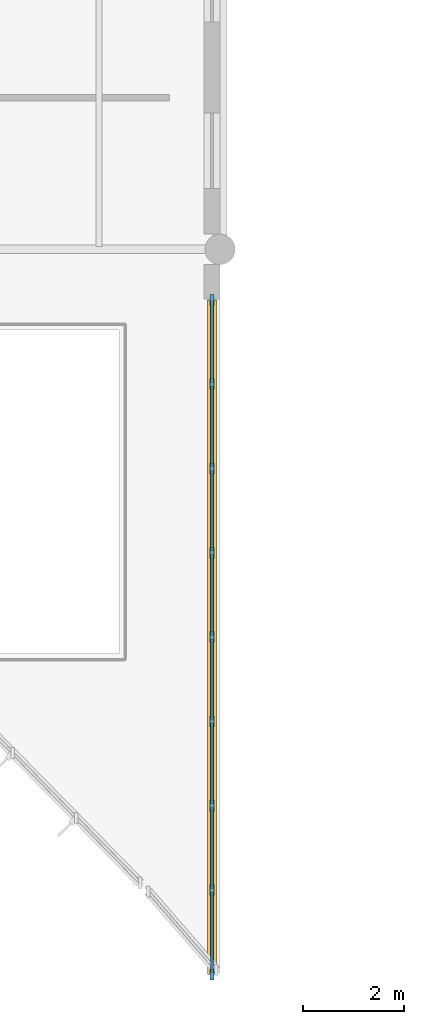
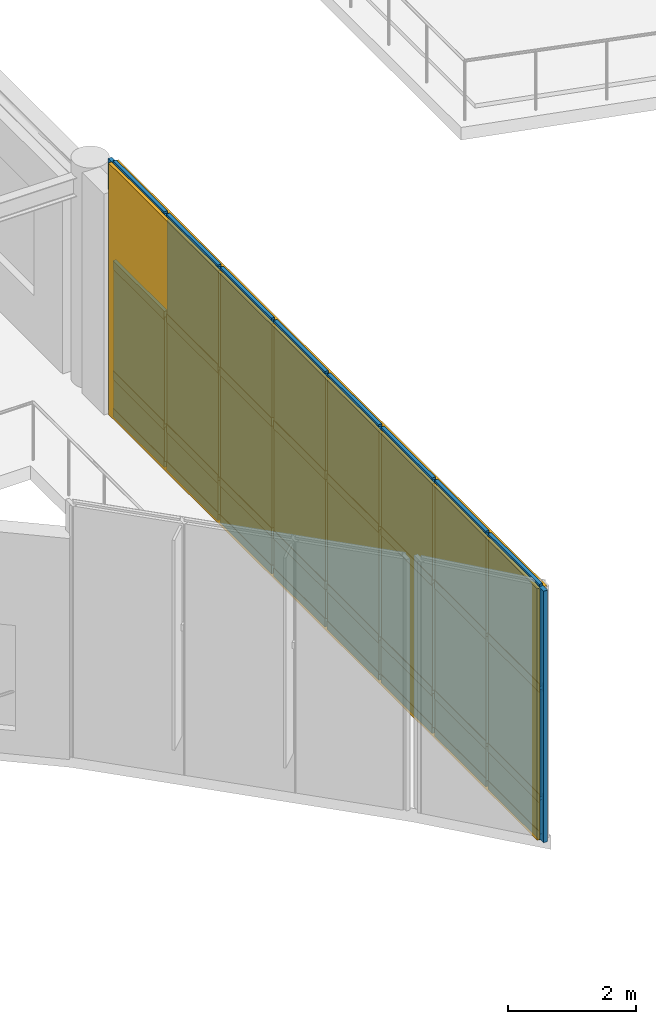
# One storey, part 77 of 104: 41 members, 23 plates, 1 curtain wall.
"""IFC4 building model written with IfcOpenShell, lengths in metres."""

from ifc_helpers import new_model, si_unit, direction, frame, frame_2d, origin, origin_2d, place, context, subcontext, project, spatial, rectangle, extrude, material, layer, layer_set, material_profile, profile_set, type_object, element, aggregate, save


model = new_model("IFC4")

# Units and contexts
model_context = context("Model", 3, precision=1e-05, world=origin(), true_north=direction((0.0, 1.0)))
body_context = subcontext(model_context, "Body", "Model", "MODEL_VIEW")
ifc_project = project(units=[si_unit("LENGTHUNIT", "METRE"), si_unit("AREAUNIT", "SQUARE_METRE"), si_unit("VOLUMEUNIT", "CUBIC_METRE"), si_unit("PLANEANGLEUNIT", "RADIAN"), si_unit("MASSUNIT", "GRAM", prefix="KILO")], contexts=[model_context])

# Member
ifc_material_1 = material(Name="Anodised Bronze Aluminium 6063-T6", Category="aluminium")
ifc_material_profile_1 = material_profile(ifc_material_1, rectangle(XDim=0.070068359375, YDim=0.219970703125, at=origin_2d()), Name="ALU MULLION 70x220")
ifc_profile_set_1 = profile_set([ifc_material_profile_1], Name="Anodised Bronze Aluminium 6063-T6")
member_type_1 = type_object("IfcMemberType", Name="Curtain-Wall Heavy Mullion 70x220", PredefinedType="MULLION", material=ifc_profile_set_1)
site_placement = place(None, origin())
building_placement = place(site_placement, origin())
storey_placement = place(building_placement, frame((0.0, 0.0, 9.0)))
member_1_placement = place(storey_placement, frame((116.840087890625, 1.449951171875, 0.0), z_axis=(0.0, 0.0, 1.0), x_axis=(1.0, 0.0, 0.0)))
member_1 = element("IfcMember", 1, at=member_1_placement, type_object=member_type_1, Name="Mullion CWM-02 CW-V5-RET-E-L02-M01", PredefinedType="MULLION", context=body_context, shape_type="SweptSolid", body=[
    extrude(rectangle(XDim=0.070068359375, YDim=0.219970703125, at=origin_2d()), origin(), (0.0, 0.0, 1.0), 4.780029296875),
])

member_2_placement = place(storey_placement, frame((116.840087890625, 3.118896484375, 0.0), z_axis=(0.0, 0.0, 1.0), x_axis=(1.0, 0.0, 0.0)))
member_2 = element("IfcMember", 2, at=member_2_placement, type_object=member_type_1, Name="Mullion CWM-02 CW-V5-RET-E-L02-M02", PredefinedType="MULLION", context=body_context, shape_type="SweptSolid", body=[
    extrude(rectangle(XDim=0.070068359375, YDim=0.219970703125, at=origin_2d()), origin(), (0.0, 0.0, 1.0), 4.780029296875),
])

member_3_placement = place(storey_placement, frame((116.840087890625, 4.78759765625, 0.0), z_axis=(0.0, 0.0, 1.0), x_axis=(1.0, 0.0, 0.0)))
member_3 = element("IfcMember", 3, at=member_3_placement, type_object=member_type_1, Name="Mullion CWM-02 CW-V5-RET-E-L02-M03", PredefinedType="MULLION", context=body_context, shape_type="SweptSolid", body=[
    extrude(rectangle(XDim=0.070068359375, YDim=0.219970703125, at=origin_2d()), origin(), (0.0, 0.0, 1.0), 4.780029296875),
])

member_4_placement = place(storey_placement, frame((116.840087890625, 6.456298828125, 0.0), z_axis=(0.0, 0.0, 1.0), x_axis=(1.0, 0.0, 0.0)))
member_4 = element("IfcMember", 4, at=member_4_placement, type_object=member_type_1, Name="Mullion CWM-02 CW-V5-RET-E-L02-M04", PredefinedType="MULLION", context=body_context, shape_type="SweptSolid", body=[
    extrude(rectangle(XDim=0.070068359375, YDim=0.219970703125, at=origin_2d()), origin(), (0.0, 0.0, 1.0), 4.780029296875),
])

member_5_placement = place(storey_placement, frame((116.840087890625, 8.125, 0.0), z_axis=(0.0, 0.0, 1.0), x_axis=(1.0, 0.0, 0.0)))
member_5 = element("IfcMember", 5, at=member_5_placement, type_object=member_type_1, Name="Mullion CWM-02 CW-V5-RET-E-L02-M05", PredefinedType="MULLION", context=body_context, shape_type="SweptSolid", body=[
    extrude(rectangle(XDim=0.070068359375, YDim=0.219970703125, at=origin_2d()), origin(), (0.0, 0.0, 1.0), 4.780029296875),
])

member_6_placement = place(storey_placement, frame((116.840087890625, 9.793701171875, 0.0), z_axis=(0.0, 0.0, 1.0), x_axis=(1.0, 0.0, 0.0)))
member_6 = element("IfcMember", 6, at=member_6_placement, type_object=member_type_1, Name="Mullion CWM-02 CW-V5-RET-E-L02-M06", PredefinedType="MULLION", context=body_context, shape_type="SweptSolid", body=[
    extrude(rectangle(XDim=0.070068359375, YDim=0.219970703125, at=origin_2d()), origin(), (0.0, 0.0, 1.0), 4.780029296875),
])

member_7_placement = place(storey_placement, frame((116.840087890625, 11.46240234375, 0.0), z_axis=(0.0, 0.0, 1.0), x_axis=(1.0, 0.0, 0.0)))
member_7 = element("IfcMember", 7, at=member_7_placement, type_object=member_type_1, Name="Mullion CWM-02 CW-V5-RET-E-L02-M07", PredefinedType="MULLION", context=body_context, shape_type="SweptSolid", body=[
    extrude(rectangle(XDim=0.070068359375, YDim=0.219970703125, at=origin_2d()), origin(), (0.0, 0.0, 1.0), 4.780029296875),
])

member_8_placement = place(storey_placement, frame((116.840087890625, 13.13134765625, 0.0), z_axis=(0.0, 0.0, 1.0), x_axis=(1.0, 0.0, 0.0)))
member_8 = element("IfcMember", 8, at=member_8_placement, type_object=member_type_1, Name="Mullion CWM-02 CW-V5-RET-E-L02-M08", PredefinedType="MULLION", context=body_context, shape_type="SweptSolid", body=[
    extrude(rectangle(XDim=0.070068359375, YDim=0.219970703125, at=origin_2d()), origin(), (0.0, 0.0, 1.0), 4.780029296875),
])

member_9_placement = place(storey_placement, frame((116.840087890625, 14.800048828125, 0.0), z_axis=(0.0, 0.0, 1.0), x_axis=(1.0, 0.0, 0.0)))
member_9 = element("IfcMember", 9, at=member_9_placement, type_object=member_type_1, Name="Mullion CWM-02 CW-V5-RET-E-L02-M09", PredefinedType="MULLION", context=body_context, shape_type="SweptSolid", body=[
    extrude(rectangle(XDim=0.070068359375, YDim=0.219970703125, at=origin_2d()), origin(), (0.0, 0.0, 1.0), 4.780029296875),
])

ifc_material_profile_2 = material_profile(ifc_material_1, rectangle(XDim=0.06005859375, YDim=0.159912109375, at=origin_2d()), Name="ALU TRANSOM 60x160")
ifc_profile_set_2 = profile_set([ifc_material_profile_2], Name="Anodised Bronze Aluminium 6063-T6")
member_type_2 = type_object("IfcMemberType", Name="Curtain-Wall Heavy Transom 60x160", PredefinedType="USERDEFINED", material=ifc_profile_set_2)
member_10_placement = place(storey_placement, frame((116.840087890625, 1.485107421875, 0.0400390625), z_axis=(0.0, 1.0, 0.0), x_axis=(-1.0, 0.0, 0.0)))
member_10 = element("IfcMember", 10, at=member_10_placement, type_object=member_type_2, Name="Transom CWT-02 CW-V5-RET-E-L02-T01.1", ObjectType="TRANSOM", PredefinedType="USERDEFINED", context=body_context, shape_type="SweptSolid", body=[
    extrude(rectangle(XDim=0.06005859375, YDim=0.159912109375, at=origin_2d()), origin(), (0.0, 0.0, 1.0), 1.5986328125),
])

member_11_placement = place(storey_placement, frame((116.840087890625, 1.485107421875, 0.75), z_axis=(0.0, 1.0, 0.0), x_axis=(-1.0, 0.0, 0.0)))
member_11 = element("IfcMember", 11, at=member_11_placement, type_object=member_type_2, Name="Transom CWT-02 CW-V5-RET-E-L02-T01.2", ObjectType="TRANSOM", PredefinedType="USERDEFINED", context=body_context, shape_type="SweptSolid", body=[
    extrude(rectangle(XDim=0.06005859375, YDim=0.159912109375, at=origin_2d()), origin(), (0.0, 0.0, 1.0), 1.5986328125),
])

member_12_placement = place(storey_placement, frame((116.840087890625, 1.485107421875, 2.845703125), z_axis=(0.0, 1.0, 0.0), x_axis=(-1.0, 0.0, 0.0)))
member_12 = element("IfcMember", 12, at=member_12_placement, type_object=member_type_2, Name="Transom CWT-02 CW-V5-RET-E-L02-T01.3", ObjectType="TRANSOM", PredefinedType="USERDEFINED", context=body_context, shape_type="SweptSolid", body=[
    extrude(rectangle(XDim=0.06005859375, YDim=0.159912109375, at=origin_2d()), origin(), (0.0, 0.0, 1.0), 1.5986328125),
])

member_13_placement = place(storey_placement, frame((116.840087890625, 1.485107421875, 4.739990234375), z_axis=(0.0, 1.0, 0.0), x_axis=(-1.0, 0.0, 0.0)))
member_13 = element("IfcMember", 13, at=member_13_placement, type_object=member_type_2, Name="Transom CWT-02 CW-V5-RET-E-L02-T01.4", ObjectType="TRANSOM", PredefinedType="USERDEFINED", context=body_context, shape_type="SweptSolid", body=[
    extrude(rectangle(XDim=0.06005859375, YDim=0.159912109375, at=origin_2d()), origin(), (0.0, 0.0, 1.0), 1.5986328125),
])

member_14_placement = place(storey_placement, frame((116.840087890625, 3.15380859375, 0.0400390625), z_axis=(0.0, 1.0, 0.0), x_axis=(-1.0, 0.0, 0.0)))
member_14 = element("IfcMember", 14, at=member_14_placement, type_object=member_type_2, Name="Transom CWT-02 CW-V5-RET-E-L02-T02.1", ObjectType="TRANSOM", PredefinedType="USERDEFINED", context=body_context, shape_type="SweptSolid", body=[
    extrude(rectangle(XDim=0.06005859375, YDim=0.159912109375, at=origin_2d()), origin(), (0.0, 0.0, 1.0), 1.5986328125),
])

member_15_placement = place(storey_placement, frame((116.840087890625, 3.15380859375, 0.75), z_axis=(0.0, 1.0, 0.0), x_axis=(-1.0, 0.0, 0.0)))
member_15 = element("IfcMember", 15, at=member_15_placement, type_object=member_type_2, Name="Transom CWT-02 CW-V5-RET-E-L02-T02.2", ObjectType="TRANSOM", PredefinedType="USERDEFINED", context=body_context, shape_type="SweptSolid", body=[
    extrude(rectangle(XDim=0.06005859375, YDim=0.159912109375, at=origin_2d()), origin(), (0.0, 0.0, 1.0), 1.5986328125),
])

member_16_placement = place(storey_placement, frame((116.840087890625, 3.15380859375, 2.845703125), z_axis=(0.0, 1.0, 0.0), x_axis=(-1.0, 0.0, 0.0)))
member_16 = element("IfcMember", 16, at=member_16_placement, type_object=member_type_2, Name="Transom CWT-02 CW-V5-RET-E-L02-T02.3", ObjectType="TRANSOM", PredefinedType="USERDEFINED", context=body_context, shape_type="SweptSolid", body=[
    extrude(rectangle(XDim=0.06005859375, YDim=0.159912109375, at=origin_2d()), origin(), (0.0, 0.0, 1.0), 1.5986328125),
])

member_17_placement = place(storey_placement, frame((116.840087890625, 3.15380859375, 4.739990234375), z_axis=(0.0, 1.0, 0.0), x_axis=(-1.0, 0.0, 0.0)))
member_17 = element("IfcMember", 17, at=member_17_placement, type_object=member_type_2, Name="Transom CWT-02 CW-V5-RET-E-L02-T02.4", ObjectType="TRANSOM", PredefinedType="USERDEFINED", context=body_context, shape_type="SweptSolid", body=[
    extrude(rectangle(XDim=0.06005859375, YDim=0.159912109375, at=origin_2d()), origin(), (0.0, 0.0, 1.0), 1.5986328125),
])

member_18_placement = place(storey_placement, frame((116.840087890625, 4.822509765625, 0.0400390625), z_axis=(0.0, 1.0, 0.0), x_axis=(-1.0, 0.0, 0.0)))
member_18 = element("IfcMember", 18, at=member_18_placement, type_object=member_type_2, Name="Transom CWT-02 CW-V5-RET-E-L02-T03.1", ObjectType="TRANSOM", PredefinedType="USERDEFINED", context=body_context, shape_type="SweptSolid", body=[
    extrude(rectangle(XDim=0.06005859375, YDim=0.159912109375, at=origin_2d()), origin(), (0.0, 0.0, 1.0), 1.598876953125),
])

member_19_placement = place(storey_placement, frame((116.840087890625, 4.822509765625, 0.75), z_axis=(0.0, 1.0, 0.0), x_axis=(-1.0, 0.0, 0.0)))
member_19 = element("IfcMember", 19, at=member_19_placement, type_object=member_type_2, Name="Transom CWT-02 CW-V5-RET-E-L02-T03.2", ObjectType="TRANSOM", PredefinedType="USERDEFINED", context=body_context, shape_type="SweptSolid", body=[
    extrude(rectangle(XDim=0.06005859375, YDim=0.159912109375, at=origin_2d()), origin(), (0.0, 0.0, 1.0), 1.598876953125),
])

member_20_placement = place(storey_placement, frame((116.840087890625, 4.822509765625, 2.845703125), z_axis=(0.0, 1.0, 0.0), x_axis=(-1.0, 0.0, 0.0)))
member_20 = element("IfcMember", 20, at=member_20_placement, type_object=member_type_2, Name="Transom CWT-02 CW-V5-RET-E-L02-T03.3", ObjectType="TRANSOM", PredefinedType="USERDEFINED", context=body_context, shape_type="SweptSolid", body=[
    extrude(rectangle(XDim=0.06005859375, YDim=0.159912109375, at=origin_2d()), origin(), (0.0, 0.0, 1.0), 1.598876953125),
])

member_21_placement = place(storey_placement, frame((116.840087890625, 4.822509765625, 4.739990234375), z_axis=(0.0, 1.0, 0.0), x_axis=(-1.0, 0.0, 0.0)))
member_21 = element("IfcMember", 21, at=member_21_placement, type_object=member_type_2, Name="Transom CWT-02 CW-V5-RET-E-L02-T03.4", ObjectType="TRANSOM", PredefinedType="USERDEFINED", context=body_context, shape_type="SweptSolid", body=[
    extrude(rectangle(XDim=0.06005859375, YDim=0.159912109375, at=origin_2d()), origin(), (0.0, 0.0, 1.0), 1.598876953125),
])

member_22_placement = place(storey_placement, frame((116.840087890625, 6.4912109375, 0.0400390625), z_axis=(0.0, 1.0, 0.0), x_axis=(-1.0, 0.0, 0.0)))
member_22 = element("IfcMember", 22, at=member_22_placement, type_object=member_type_2, Name="Transom CWT-02 CW-V5-RET-E-L02-T04.1", ObjectType="TRANSOM", PredefinedType="USERDEFINED", context=body_context, shape_type="SweptSolid", body=[
    extrude(rectangle(XDim=0.06005859375, YDim=0.159912109375, at=origin_2d()), origin(), (0.0, 0.0, 1.0), 1.598876953125),
])

member_23_placement = place(storey_placement, frame((116.840087890625, 6.4912109375, 0.75), z_axis=(0.0, 1.0, 0.0), x_axis=(-1.0, 0.0, 0.0)))
member_23 = element("IfcMember", 23, at=member_23_placement, type_object=member_type_2, Name="Transom CWT-02 CW-V5-RET-E-L02-T04.2", ObjectType="TRANSOM", PredefinedType="USERDEFINED", context=body_context, shape_type="SweptSolid", body=[
    extrude(rectangle(XDim=0.06005859375, YDim=0.159912109375, at=origin_2d()), origin(), (0.0, 0.0, 1.0), 1.598876953125),
])

member_24_placement = place(storey_placement, frame((116.840087890625, 6.4912109375, 2.845703125), z_axis=(0.0, 1.0, 0.0), x_axis=(-1.0, 0.0, 0.0)))
member_24 = element("IfcMember", 24, at=member_24_placement, type_object=member_type_2, Name="Transom CWT-02 CW-V5-RET-E-L02-T04.3", ObjectType="TRANSOM", PredefinedType="USERDEFINED", context=body_context, shape_type="SweptSolid", body=[
    extrude(rectangle(XDim=0.06005859375, YDim=0.159912109375, at=origin_2d()), origin(), (0.0, 0.0, 1.0), 1.598876953125),
])

member_25_placement = place(storey_placement, frame((116.840087890625, 6.4912109375, 4.739990234375), z_axis=(0.0, 1.0, 0.0), x_axis=(-1.0, 0.0, 0.0)))
member_25 = element("IfcMember", 25, at=member_25_placement, type_object=member_type_2, Name="Transom CWT-02 CW-V5-RET-E-L02-T04.4", ObjectType="TRANSOM", PredefinedType="USERDEFINED", context=body_context, shape_type="SweptSolid", body=[
    extrude(rectangle(XDim=0.06005859375, YDim=0.159912109375, at=origin_2d()), origin(), (0.0, 0.0, 1.0), 1.598876953125),
])

member_26_placement = place(storey_placement, frame((116.840087890625, 8.159912109375, 0.0400390625), z_axis=(0.0, 1.0, 0.0), x_axis=(-1.0, 0.0, 0.0)))
member_26 = element("IfcMember", 26, at=member_26_placement, type_object=member_type_2, Name="Transom CWT-02 CW-V5-RET-E-L02-T05.1", ObjectType="TRANSOM", PredefinedType="USERDEFINED", context=body_context, shape_type="SweptSolid", body=[
    extrude(rectangle(XDim=0.06005859375, YDim=0.159912109375, at=origin_2d()), origin(), (0.0, 0.0, 1.0), 1.598876953125),
])

member_27_placement = place(storey_placement, frame((116.840087890625, 8.159912109375, 0.75), z_axis=(0.0, 1.0, 0.0), x_axis=(-1.0, 0.0, 0.0)))
member_27 = element("IfcMember", 27, at=member_27_placement, type_object=member_type_2, Name="Transom CWT-02 CW-V5-RET-E-L02-T05.2", ObjectType="TRANSOM", PredefinedType="USERDEFINED", context=body_context, shape_type="SweptSolid", body=[
    extrude(rectangle(XDim=0.06005859375, YDim=0.159912109375, at=origin_2d()), origin(), (0.0, 0.0, 1.0), 1.598876953125),
])

member_28_placement = place(storey_placement, frame((116.840087890625, 8.159912109375, 2.845703125), z_axis=(0.0, 1.0, 0.0), x_axis=(-1.0, 0.0, 0.0)))
member_28 = element("IfcMember", 28, at=member_28_placement, type_object=member_type_2, Name="Transom CWT-02 CW-V5-RET-E-L02-T05.3", ObjectType="TRANSOM", PredefinedType="USERDEFINED", context=body_context, shape_type="SweptSolid", body=[
    extrude(rectangle(XDim=0.06005859375, YDim=0.159912109375, at=origin_2d()), origin(), (0.0, 0.0, 1.0), 1.598876953125),
])

member_29_placement = place(storey_placement, frame((116.840087890625, 8.159912109375, 4.739990234375), z_axis=(0.0, 1.0, 0.0), x_axis=(-1.0, 0.0, 0.0)))
member_29 = element("IfcMember", 29, at=member_29_placement, type_object=member_type_2, Name="Transom CWT-02 CW-V5-RET-E-L02-T05.4", ObjectType="TRANSOM", PredefinedType="USERDEFINED", context=body_context, shape_type="SweptSolid", body=[
    extrude(rectangle(XDim=0.06005859375, YDim=0.159912109375, at=origin_2d()), origin(), (0.0, 0.0, 1.0), 1.598876953125),
])

member_30_placement = place(storey_placement, frame((116.840087890625, 9.82861328125, 0.0400390625), z_axis=(0.0, 1.0, 0.0), x_axis=(-1.0, 0.0, 0.0)))
member_30 = element("IfcMember", 30, at=member_30_placement, type_object=member_type_2, Name="Transom CWT-02 CW-V5-RET-E-L02-T06.1", ObjectType="TRANSOM", PredefinedType="USERDEFINED", context=body_context, shape_type="SweptSolid", body=[
    extrude(rectangle(XDim=0.06005859375, YDim=0.159912109375, at=origin_2d()), origin(), (0.0, 0.0, 1.0), 1.598876953125),
])

member_31_placement = place(storey_placement, frame((116.840087890625, 9.82861328125, 0.75), z_axis=(0.0, 1.0, 0.0), x_axis=(-1.0, 0.0, 0.0)))
member_31 = element("IfcMember", 31, at=member_31_placement, type_object=member_type_2, Name="Transom CWT-02 CW-V5-RET-E-L02-T06.2", ObjectType="TRANSOM", PredefinedType="USERDEFINED", context=body_context, shape_type="SweptSolid", body=[
    extrude(rectangle(XDim=0.06005859375, YDim=0.159912109375, at=origin_2d()), origin(), (0.0, 0.0, 1.0), 1.598876953125),
])

member_32_placement = place(storey_placement, frame((116.840087890625, 9.82861328125, 2.845703125), z_axis=(0.0, 1.0, 0.0), x_axis=(-1.0, 0.0, 0.0)))
member_32 = element("IfcMember", 32, at=member_32_placement, type_object=member_type_2, Name="Transom CWT-02 CW-V5-RET-E-L02-T06.3", ObjectType="TRANSOM", PredefinedType="USERDEFINED", context=body_context, shape_type="SweptSolid", body=[
    extrude(rectangle(XDim=0.06005859375, YDim=0.159912109375, at=origin_2d()), origin(), (0.0, 0.0, 1.0), 1.598876953125),
])

member_33_placement = place(storey_placement, frame((116.840087890625, 9.82861328125, 4.739990234375), z_axis=(0.0, 1.0, 0.0), x_axis=(-1.0, 0.0, 0.0)))
member_33 = element("IfcMember", 33, at=member_33_placement, type_object=member_type_2, Name="Transom CWT-02 CW-V5-RET-E-L02-T06.4", ObjectType="TRANSOM", PredefinedType="USERDEFINED", context=body_context, shape_type="SweptSolid", body=[
    extrude(rectangle(XDim=0.06005859375, YDim=0.159912109375, at=origin_2d()), origin(), (0.0, 0.0, 1.0), 1.598876953125),
])

member_34_placement = place(storey_placement, frame((116.840087890625, 11.49755859375, 0.0400390625), z_axis=(0.0, 1.0, 0.0), x_axis=(-1.0, 0.0, 0.0)))
member_34 = element("IfcMember", 34, at=member_34_placement, type_object=member_type_2, Name="Transom CWT-02 CW-V5-RET-E-L02-T07.1", ObjectType="TRANSOM", PredefinedType="USERDEFINED", context=body_context, shape_type="SweptSolid", body=[
    extrude(rectangle(XDim=0.06005859375, YDim=0.159912109375, at=origin_2d()), origin(), (0.0, 0.0, 1.0), 1.5986328125),
])

member_35_placement = place(storey_placement, frame((116.840087890625, 11.49755859375, 0.75), z_axis=(0.0, 1.0, 0.0), x_axis=(-1.0, 0.0, 0.0)))
member_35 = element("IfcMember", 35, at=member_35_placement, type_object=member_type_2, Name="Transom CWT-02 CW-V5-RET-E-L02-T07.2", ObjectType="TRANSOM", PredefinedType="USERDEFINED", context=body_context, shape_type="SweptSolid", body=[
    extrude(rectangle(XDim=0.06005859375, YDim=0.159912109375, at=origin_2d()), origin(), (0.0, 0.0, 1.0), 1.5986328125),
])

member_36_placement = place(storey_placement, frame((116.840087890625, 11.49755859375, 2.845703125), z_axis=(0.0, 1.0, 0.0), x_axis=(-1.0, 0.0, 0.0)))
member_36 = element("IfcMember", 36, at=member_36_placement, type_object=member_type_2, Name="Transom CWT-02 CW-V5-RET-E-L02-T07.3", ObjectType="TRANSOM", PredefinedType="USERDEFINED", context=body_context, shape_type="SweptSolid", body=[
    extrude(rectangle(XDim=0.06005859375, YDim=0.159912109375, at=origin_2d()), origin(), (0.0, 0.0, 1.0), 1.5986328125),
])

member_37_placement = place(storey_placement, frame((116.840087890625, 11.49755859375, 4.739990234375), z_axis=(0.0, 1.0, 0.0), x_axis=(-1.0, 0.0, 0.0)))
member_37 = element("IfcMember", 37, at=member_37_placement, type_object=member_type_2, Name="Transom CWT-02 CW-V5-RET-E-L02-T07.4", ObjectType="TRANSOM", PredefinedType="USERDEFINED", context=body_context, shape_type="SweptSolid", body=[
    extrude(rectangle(XDim=0.06005859375, YDim=0.159912109375, at=origin_2d()), origin(), (0.0, 0.0, 1.0), 1.5986328125),
])

member_38_placement = place(storey_placement, frame((116.840087890625, 13.166259765625, 0.0400390625), z_axis=(0.0, 1.0, 0.0), x_axis=(-1.0, 0.0, 0.0)))
member_38 = element("IfcMember", 38, at=member_38_placement, type_object=member_type_2, Name="Transom CWT-02 CW-V5-RET-E-L02-T08.1", ObjectType="TRANSOM", PredefinedType="USERDEFINED", context=body_context, shape_type="SweptSolid", body=[
    extrude(rectangle(XDim=0.06005859375, YDim=0.159912109375, at=origin_2d()), origin(), (0.0, 0.0, 1.0), 1.5986328125),
])

member_39_placement = place(storey_placement, frame((116.840087890625, 13.166259765625, 0.75), z_axis=(0.0, 1.0, 0.0), x_axis=(-1.0, 0.0, 0.0)))
member_39 = element("IfcMember", 39, at=member_39_placement, type_object=member_type_2, Name="Transom CWT-02 CW-V5-RET-E-L02-T08.2", ObjectType="TRANSOM", PredefinedType="USERDEFINED", context=body_context, shape_type="SweptSolid", body=[
    extrude(rectangle(XDim=0.06005859375, YDim=0.159912109375, at=origin_2d()), origin(), (0.0, 0.0, 1.0), 1.5986328125),
])

member_40_placement = place(storey_placement, frame((116.840087890625, 13.166259765625, 2.845703125), z_axis=(0.0, 1.0, 0.0), x_axis=(-1.0, 0.0, 0.0)))
member_40 = element("IfcMember", 40, at=member_40_placement, type_object=member_type_2, Name="Transom CWT-02 CW-V5-RET-E-L02-T08.3", ObjectType="TRANSOM", PredefinedType="USERDEFINED", context=body_context, shape_type="SweptSolid", body=[
    extrude(rectangle(XDim=0.06005859375, YDim=0.159912109375, at=origin_2d()), origin(), (0.0, 0.0, 1.0), 1.5986328125),
])

member_41_placement = place(storey_placement, frame((116.840087890625, 13.166259765625, 4.739990234375), z_axis=(0.0, 1.0, 0.0), x_axis=(-1.0, 0.0, 0.0)))
member_41 = element("IfcMember", 41, at=member_41_placement, type_object=member_type_2, Name="Transom CWT-02 CW-V5-RET-E-L02-T08.4", ObjectType="TRANSOM", PredefinedType="USERDEFINED", context=body_context, shape_type="SweptSolid", body=[
    extrude(rectangle(XDim=0.06005859375, YDim=0.159912109375, at=origin_2d()), origin(), (0.0, 0.0, 1.0), 1.5986328125),
])

# Plate
ifc_material_2 = material(Name="Double Low-E Acoustic Laminated Glass", Category="glass")
ifc_layer_1 = layer(ifc_material_2, 0.0439453125, Name="Double Low-E Acoustic Laminated Glass")
ifc_layer_set_1 = layer_set([ifc_layer_1], Name="Double Low-E Acoustic Laminated Glass")
plate_type_1 = type_object("IfcPlateType", Name="Acoustic Laminated Low-E Glazing Unit 44", PredefinedType="CURTAIN_PANEL", material=ifc_layer_set_1)
plate_1_placement = place(storey_placement, frame((116.840087890625, 2.284423828125, 0.780029296875), z_axis=(0.0, 0.0, 1.0), x_axis=(0.0, 1.0, 0.0)))
plate_1 = element("IfcPlate", 42, at=plate_1_placement, type_object=plate_type_1, Name="Curtain Panel CWP-01 CW-V5-RET-E-L02-P01.2", PredefinedType="CURTAIN_PANEL", context=body_context, shape_type="SweptSolid", body=[
    extrude(rectangle(XDim=1.598876953125, YDim=0.0439453125, at=origin_2d()), origin(), (0.0, 0.0, 1.0), 2.03564453125),
])

plate_2_placement = place(storey_placement, frame((116.840087890625, 2.284423828125, 2.87548828125), z_axis=(0.0, 0.0, 1.0), x_axis=(0.0, 1.0, 0.0)))
plate_2 = element("IfcPlate", 43, at=plate_2_placement, type_object=plate_type_1, Name="Curtain Panel CWP-01 CW-V5-RET-E-L02-P01.3", PredefinedType="CURTAIN_PANEL", context=body_context, shape_type="SweptSolid", body=[
    extrude(rectangle(XDim=1.598876953125, YDim=0.0439453125, at=origin_2d()), origin(), (0.0, 0.0, 1.0), 1.83447265625),
])

plate_3_placement = place(storey_placement, frame((116.840087890625, 3.953125, 0.780029296875), z_axis=(0.0, 0.0, 1.0), x_axis=(0.0, 1.0, 0.0)))
plate_3 = element("IfcPlate", 44, at=plate_3_placement, type_object=plate_type_1, Name="Curtain Panel CWP-01 CW-V5-RET-E-L02-P02.2", PredefinedType="CURTAIN_PANEL", context=body_context, shape_type="SweptSolid", body=[
    extrude(rectangle(XDim=1.598876953125, YDim=0.0439453125, at=origin_2d()), origin(), (0.0, 0.0, 1.0), 2.03564453125),
])

plate_4_placement = place(storey_placement, frame((116.840087890625, 3.953125, 2.87548828125), z_axis=(0.0, 0.0, 1.0), x_axis=(0.0, 1.0, 0.0)))
plate_4 = element("IfcPlate", 45, at=plate_4_placement, type_object=plate_type_1, Name="Curtain Panel CWP-01 CW-V5-RET-E-L02-P02.3", PredefinedType="CURTAIN_PANEL", context=body_context, shape_type="SweptSolid", body=[
    extrude(rectangle(XDim=1.598876953125, YDim=0.0439453125, at=origin_2d()), origin(), (0.0, 0.0, 1.0), 1.83447265625),
])

plate_5_placement = place(storey_placement, frame((116.840087890625, 5.621826171875, 0.780029296875), z_axis=(0.0, 0.0, 1.0), x_axis=(0.0, 1.0, 0.0)))
plate_5 = element("IfcPlate", 46, at=plate_5_placement, type_object=plate_type_1, Name="Curtain Panel CWP-01 CW-V5-RET-E-L02-P03.2", PredefinedType="CURTAIN_PANEL", context=body_context, shape_type="SweptSolid", body=[
    extrude(rectangle(XDim=1.5986328125, YDim=0.0439453125, at=origin_2d()), origin(), (0.0, 0.0, 1.0), 2.03564453125),
])

plate_6_placement = place(storey_placement, frame((116.840087890625, 5.621826171875, 2.87548828125), z_axis=(0.0, 0.0, 1.0), x_axis=(0.0, 1.0, 0.0)))
plate_6 = element("IfcPlate", 47, at=plate_6_placement, type_object=plate_type_1, Name="Curtain Panel CWP-01 CW-V5-RET-E-L02-P03.3", PredefinedType="CURTAIN_PANEL", context=body_context, shape_type="SweptSolid", body=[
    extrude(rectangle(XDim=1.5986328125, YDim=0.0439453125, at=origin_2d()), origin(), (0.0, 0.0, 1.0), 1.83447265625),
])

plate_7_placement = place(storey_placement, frame((116.840087890625, 7.29052734375, 0.780029296875), z_axis=(0.0, 0.0, 1.0), x_axis=(0.0, 1.0, 0.0)))
plate_7 = element("IfcPlate", 48, at=plate_7_placement, type_object=plate_type_1, Name="Curtain Panel CWP-01 CW-V5-RET-E-L02-P04.2", PredefinedType="CURTAIN_PANEL", context=body_context, shape_type="SweptSolid", body=[
    extrude(rectangle(XDim=1.5986328125, YDim=0.0439453125, at=origin_2d()), origin(), (0.0, 0.0, 1.0), 2.03564453125),
])

plate_8_placement = place(storey_placement, frame((116.840087890625, 7.29052734375, 2.87548828125), z_axis=(0.0, 0.0, 1.0), x_axis=(0.0, 1.0, 0.0)))
plate_8 = element("IfcPlate", 49, at=plate_8_placement, type_object=plate_type_1, Name="Curtain Panel CWP-01 CW-V5-RET-E-L02-P04.3", PredefinedType="CURTAIN_PANEL", context=body_context, shape_type="SweptSolid", body=[
    extrude(rectangle(XDim=1.5986328125, YDim=0.0439453125, at=origin_2d()), origin(), (0.0, 0.0, 1.0), 1.83447265625),
])

plate_9_placement = place(storey_placement, frame((116.840087890625, 8.95947265625, 0.780029296875), z_axis=(0.0, 0.0, 1.0), x_axis=(0.0, 1.0, 0.0)))
plate_9 = element("IfcPlate", 50, at=plate_9_placement, type_object=plate_type_1, Name="Curtain Panel CWP-01 CW-V5-RET-E-L02-P05.2", PredefinedType="CURTAIN_PANEL", context=body_context, shape_type="SweptSolid", body=[
    extrude(rectangle(XDim=1.5986328125, YDim=0.0439453125, at=origin_2d()), origin(), (0.0, 0.0, 1.0), 2.03564453125),
])

plate_10_placement = place(storey_placement, frame((116.840087890625, 8.95947265625, 2.87548828125), z_axis=(0.0, 0.0, 1.0), x_axis=(0.0, 1.0, 0.0)))
plate_10 = element("IfcPlate", 51, at=plate_10_placement, type_object=plate_type_1, Name="Curtain Panel CWP-01 CW-V5-RET-E-L02-P05.3", PredefinedType="CURTAIN_PANEL", context=body_context, shape_type="SweptSolid", body=[
    extrude(rectangle(XDim=1.5986328125, YDim=0.0439453125, at=origin_2d()), origin(), (0.0, 0.0, 1.0), 1.83447265625),
])

plate_11_placement = place(storey_placement, frame((116.840087890625, 10.628173828125, 0.780029296875), z_axis=(0.0, 0.0, 1.0), x_axis=(0.0, 1.0, 0.0)))
plate_11 = element("IfcPlate", 52, at=plate_11_placement, type_object=plate_type_1, Name="Curtain Panel CWP-01 CW-V5-RET-E-L02-P06.2", PredefinedType="CURTAIN_PANEL", context=body_context, shape_type="SweptSolid", body=[
    extrude(rectangle(XDim=1.598876953125, YDim=0.0439453125, at=origin_2d()), origin(), (0.0, 0.0, 1.0), 2.03564453125),
])

plate_12_placement = place(storey_placement, frame((116.840087890625, 10.628173828125, 2.87548828125), z_axis=(0.0, 0.0, 1.0), x_axis=(0.0, 1.0, 0.0)))
plate_12 = element("IfcPlate", 53, at=plate_12_placement, type_object=plate_type_1, Name="Curtain Panel CWP-01 CW-V5-RET-E-L02-P06.3", PredefinedType="CURTAIN_PANEL", context=body_context, shape_type="SweptSolid", body=[
    extrude(rectangle(XDim=1.598876953125, YDim=0.0439453125, at=origin_2d()), origin(), (0.0, 0.0, 1.0), 1.83447265625),
])

plate_13_placement = place(storey_placement, frame((116.840087890625, 12.296875, 0.780029296875), z_axis=(0.0, 0.0, 1.0), x_axis=(0.0, 1.0, 0.0)))
plate_13 = element("IfcPlate", 54, at=plate_13_placement, type_object=plate_type_1, Name="Curtain Panel CWP-01 CW-V5-RET-E-L02-P07.2", PredefinedType="CURTAIN_PANEL", context=body_context, shape_type="SweptSolid", body=[
    extrude(rectangle(XDim=1.598876953125, YDim=0.0439453125, at=origin_2d()), origin(), (0.0, 0.0, 1.0), 2.03564453125),
])

plate_14_placement = place(storey_placement, frame((116.840087890625, 12.296875, 2.87548828125), z_axis=(0.0, 0.0, 1.0), x_axis=(0.0, 1.0, 0.0)))
plate_14 = element("IfcPlate", 55, at=plate_14_placement, type_object=plate_type_1, Name="Curtain Panel CWP-01 CW-V5-RET-E-L02-P07.3", PredefinedType="CURTAIN_PANEL", context=body_context, shape_type="SweptSolid", body=[
    extrude(rectangle(XDim=1.598876953125, YDim=0.0439453125, at=origin_2d()), origin(), (0.0, 0.0, 1.0), 1.83447265625),
])

plate_15_placement = place(storey_placement, frame((116.840087890625, 13.965576171875, 0.780029296875), z_axis=(0.0, 0.0, 1.0), x_axis=(0.0, 1.0, 0.0)))
plate_15 = element("IfcPlate", 56, at=plate_15_placement, type_object=plate_type_1, Name="Curtain Panel CWP-01 CW-V5-RET-E-L02-P08.2", PredefinedType="CURTAIN_PANEL", context=body_context, shape_type="SweptSolid", body=[
    extrude(rectangle(XDim=1.5986328125, YDim=0.0439453125, at=origin_2d()), origin(), (0.0, 0.0, 1.0), 2.03564453125),
])

ifc_material_3 = material(Name="Ceramic-Fritted Tempered Laminated Glass", Category="glass")
ifc_layer_2 = layer(ifc_material_3, 0.0458984375, Name="Ceramic-Fritted Tempered Laminated Glass")
ifc_layer_set_2 = layer_set([ifc_layer_2], Name="Ceramic-Fritted Tempered Laminated Glass")
plate_type_2 = type_object("IfcPlateType", Name="Ceramic-Frit Acoustic Spandrel Glazing 46", PredefinedType="CURTAIN_PANEL", material=ifc_layer_set_2)
plate_16_placement = place(storey_placement, frame((116.840087890625, 2.284423828125, 0.070068359375), z_axis=(0.0, 0.0, 1.0), x_axis=(0.0, 1.0, 0.0)))
plate_16 = element("IfcPlate", 57, at=plate_16_placement, type_object=plate_type_2, Name="Curtain Panel CWP-04 CW-V5-RET-E-L02-P01.1", PredefinedType="CURTAIN_PANEL", context=body_context, shape_type="SweptSolid", body=[
    extrude(rectangle(XDim=1.598876953125, YDim=0.0458984375, at=origin_2d()), origin(), (0.0, 0.0, 1.0), 0.64990234375),
])

plate_17_placement = place(storey_placement, frame((116.840087890625, 3.953125, 0.070068359375), z_axis=(0.0, 0.0, 1.0), x_axis=(0.0, 1.0, 0.0)))
plate_17 = element("IfcPlate", 58, at=plate_17_placement, type_object=plate_type_2, Name="Curtain Panel CWP-04 CW-V5-RET-E-L02-P02.1", PredefinedType="CURTAIN_PANEL", context=body_context, shape_type="SweptSolid", body=[
    extrude(rectangle(XDim=1.598876953125, YDim=0.0458984375, at=origin_2d()), origin(), (0.0, 0.0, 1.0), 0.64990234375),
])

plate_18_placement = place(storey_placement, frame((116.840087890625, 5.621826171875, 0.070068359375), z_axis=(0.0, 0.0, 1.0), x_axis=(0.0, 1.0, 0.0)))
plate_18 = element("IfcPlate", 59, at=plate_18_placement, type_object=plate_type_2, Name="Curtain Panel CWP-04 CW-V5-RET-E-L02-P03.1", PredefinedType="CURTAIN_PANEL", context=body_context, shape_type="SweptSolid", body=[
    extrude(rectangle(XDim=1.5986328125, YDim=0.0458984375, at=origin_2d()), origin(), (0.0, 0.0, 1.0), 0.64990234375),
])

plate_19_placement = place(storey_placement, frame((116.840087890625, 7.29052734375, 0.070068359375), z_axis=(0.0, 0.0, 1.0), x_axis=(0.0, 1.0, 0.0)))
plate_19 = element("IfcPlate", 60, at=plate_19_placement, type_object=plate_type_2, Name="Curtain Panel CWP-04 CW-V5-RET-E-L02-P04.1", PredefinedType="CURTAIN_PANEL", context=body_context, shape_type="SweptSolid", body=[
    extrude(rectangle(XDim=1.5986328125, YDim=0.0458984375, at=origin_2d()), origin(), (0.0, 0.0, 1.0), 0.64990234375),
])

plate_20_placement = place(storey_placement, frame((116.840087890625, 8.95947265625, 0.070068359375), z_axis=(0.0, 0.0, 1.0), x_axis=(0.0, 1.0, 0.0)))
plate_20 = element("IfcPlate", 61, at=plate_20_placement, type_object=plate_type_2, Name="Curtain Panel CWP-04 CW-V5-RET-E-L02-P05.1", PredefinedType="CURTAIN_PANEL", context=body_context, shape_type="SweptSolid", body=[
    extrude(rectangle(XDim=1.5986328125, YDim=0.0458984375, at=origin_2d()), origin(), (0.0, 0.0, 1.0), 0.64990234375),
])

plate_21_placement = place(storey_placement, frame((116.840087890625, 10.628173828125, 0.070068359375), z_axis=(0.0, 0.0, 1.0), x_axis=(0.0, 1.0, 0.0)))
plate_21 = element("IfcPlate", 62, at=plate_21_placement, type_object=plate_type_2, Name="Curtain Panel CWP-04 CW-V5-RET-E-L02-P06.1", PredefinedType="CURTAIN_PANEL", context=body_context, shape_type="SweptSolid", body=[
    extrude(rectangle(XDim=1.598876953125, YDim=0.0458984375, at=origin_2d()), origin(), (0.0, 0.0, 1.0), 0.64990234375),
])

plate_22_placement = place(storey_placement, frame((116.840087890625, 12.296875, 0.070068359375), z_axis=(0.0, 0.0, 1.0), x_axis=(0.0, 1.0, 0.0)))
plate_22 = element("IfcPlate", 63, at=plate_22_placement, type_object=plate_type_2, Name="Curtain Panel CWP-04 CW-V5-RET-E-L02-P07.1", PredefinedType="CURTAIN_PANEL", context=body_context, shape_type="SweptSolid", body=[
    extrude(rectangle(XDim=1.598876953125, YDim=0.0458984375, at=origin_2d()), origin(), (0.0, 0.0, 1.0), 0.64990234375),
])

plate_23_placement = place(storey_placement, frame((116.840087890625, 13.965576171875, 0.070068359375), z_axis=(0.0, 0.0, 1.0), x_axis=(0.0, 1.0, 0.0)))
plate_23 = element("IfcPlate", 64, at=plate_23_placement, type_object=plate_type_2, Name="Curtain Panel CWP-04 CW-V5-RET-E-L02-P08.1", PredefinedType="CURTAIN_PANEL", context=body_context, shape_type="SweptSolid", body=[
    extrude(rectangle(XDim=1.5986328125, YDim=0.0458984375, at=origin_2d()), origin(), (0.0, 0.0, 1.0), 0.64990234375),
])

# Site, building, storey
site = spatial("IfcSite", under=ifc_project, at=site_placement, CompositionType="ELEMENT")
building = spatial("IfcBuilding", under=site, at=building_placement, Name="Tazoul Stagehouse", CompositionType="ELEMENT")
storey = spatial("IfcBuildingStorey", under=building, at=storey_placement, Name="L02", CompositionType="ELEMENT", Elevation=9.0)

# Curtain wall
curtain_wall_type = type_object("IfcCurtainWallType", Name="Crescent Double-Skin Acoustic Curtain Wall", PredefinedType="NOTDEFINED", material=ifc_material_1)
curtain_wall_placement = place(storey_placement, frame((116.840087890625, 1.449951171875, 0.0), z_axis=(0.0, 0.0, 1.0), x_axis=(0.0, 1.0, 0.0)))
curtain_wall = element("IfcCurtainWall", 65, at=curtain_wall_placement, inside=storey, type_object=curtain_wall_type, Name="L02 Curtain Wall CW-01 (CW-V5-RET-E-L02)", PredefinedType="NOTDEFINED", context=body_context, shape_type="SweptSolid", body=[
    extrude(rectangle(XDim=13.35009765625, YDim=0.179931640625, at=frame_2d((6.675048828125, 0.0))), origin(), (0.0, 0.0, 1.0), 4.780029296875),
])

aggregate(curtain_wall, [member_1, member_2, member_3, member_4, member_5, member_6, member_7, member_8, member_9, member_10, member_11, member_12, member_13, plate_16, plate_1, plate_2, member_14, member_15, member_16, member_17, plate_17, plate_3, plate_4, member_18, member_19, member_20, member_21, plate_18, plate_5, plate_6, member_22, member_23, member_24, member_25, plate_19, plate_7, plate_8, member_26, member_27, member_28, member_29, plate_20, plate_9, plate_10, member_30, member_31, member_32, member_33, plate_21, plate_11, plate_12, member_34, member_35, member_36, member_37, plate_22, plate_13, plate_14, member_38, member_39, member_40, member_41, plate_23, plate_15])

save(model, "model.ifc")
